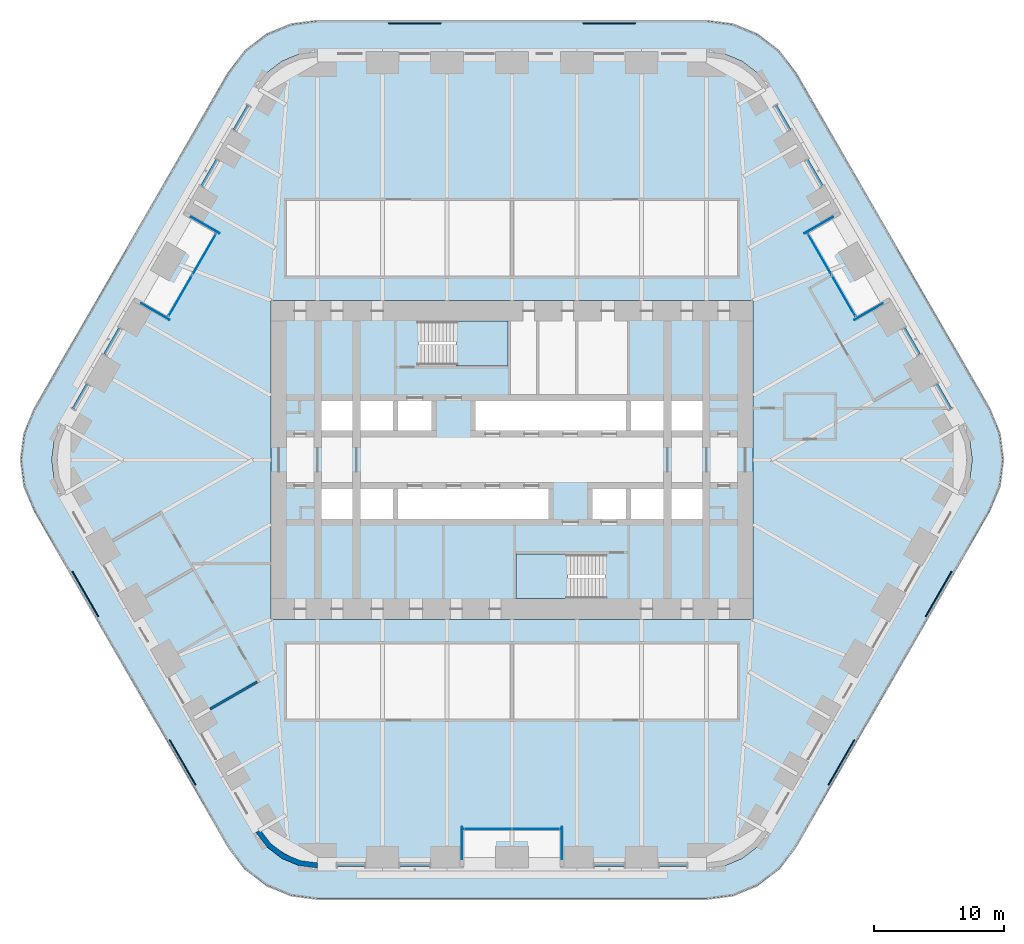
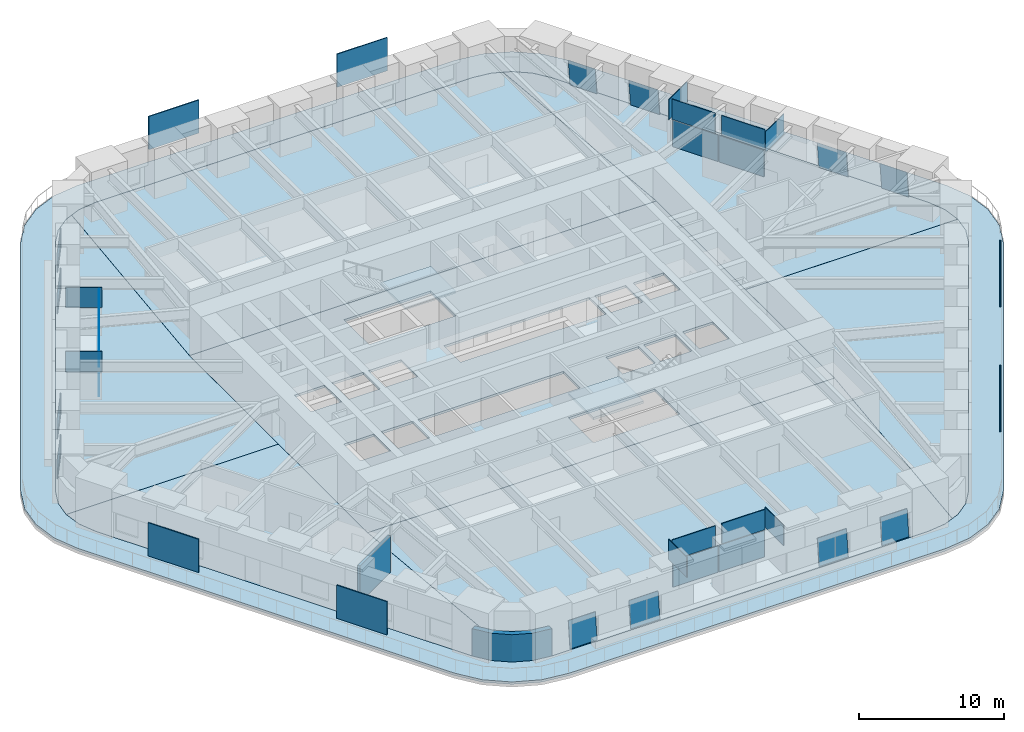
# One storey, part 16 of 24: 36 plates, 10 slabs, 2 walls, 17 elements without a shape of their own.
"""IFC4 building model written with IfcOpenShell, lengths in metres."""

from ifc_helpers import new_model, si_unit, direction, frame, frame_2d, origin, origin_2d, place, context, subcontext, project, spatial, polyline, rectangle, outline, extrude, material, layer, layer_set, type_object, element, aggregate, save


model = new_model("IFC4")

# Units and contexts
model_context = context("Model", 3, precision=1e-05, world=origin(), true_north=direction((0.0, 1.0)))
body_context = subcontext(model_context, "Body", "Model", "MODEL_VIEW")
ifc_project = project(units=[si_unit("LENGTHUNIT", "METRE"), si_unit("AREAUNIT", "SQUARE_METRE"), si_unit("VOLUMEUNIT", "CUBIC_METRE"), si_unit("PLANEANGLEUNIT", "RADIAN"), si_unit("MASSUNIT", "GRAM", prefix="KILO")], contexts=[model_context])

# Site, building, storey
site_placement = place(None, origin())
site = spatial("IfcSite", under=ifc_project, at=site_placement, CompositionType="ELEMENT")
building_placement = place(site_placement, origin())
building = spatial("IfcBuilding", under=site, at=building_placement, Name="Tarfa Lantern Tower", CompositionType="ELEMENT")
storey_placement = place(building_placement, frame((0.0, 0.0, 119.5)))
storey = spatial("IfcBuildingStorey", under=building, at=storey_placement, Name="L26", CompositionType="ELEMENT", Elevation=119.5)

# Slab
ifc_material_1 = material(Name="Concrete C40/50", Category="concrete")
ifc_layer_1 = layer(ifc_material_1, 0.199951171875)
ifc_layer_set_1 = layer_set([ifc_layer_1], Name="BS2 BALCONY SLAB 200")
slab_type_1 = type_object("IfcSlabType", Name="BS2 BALCONY SLAB 200", PredefinedType="FLOOR", material=ifc_layer_set_1)
slab_1_placement = place(storey_placement, frame((0.0, 0.0, -0.199951171875)))
element("IfcSlab", 1, at=slab_1_placement, inside=storey, type_object=slab_type_1, Name="Balcony L26", PredefinedType="FLOOR", context=body_context, shape_type="SweptSolid", body=[
    extrude(outline(polyline([(36.86376953125, 3.949951171875), (21.852783203125, 29.949951171875), (20.59716796875, 31.586181640625), (18.961181640625, 32.841552734375), (17.0556640625, 33.630859375), (15.010986328125, 33.89990234375), (-15.010986328125, 33.89990234375), (-17.0556640625, 33.630859375), (-18.961181640625, 32.841552734375), (-20.59716796875, 31.586181640625), (-21.852783203125, 29.949951171875), (-36.86376953125, 3.949951171875), (-37.653076171875, 2.044677734375), (-37.922119140625, 0.0), (-37.653076171875, -2.044677734375), (-36.86376953125, -3.949951171875), (-21.852783203125, -29.949951171875), (-20.59716796875, -31.586181640625), (-18.961181640625, -32.841552734375), (-17.0556640625, -33.630859375), (-15.010986328125, -33.89990234375), (15.010986328125, -33.89990234375), (17.0556640625, -33.630859375), (18.961181640625, -32.841552734375), (20.59716796875, -31.586181640625), (21.852783203125, -29.949951171875), (36.86376953125, -3.949951171875), (37.653076171875, -2.044677734375), (37.922119140625, 0.0), (37.653076171875, 2.044677734375), (36.86376953125, 3.949951171875)]), holes=[polyline([(34.785400390625, 2.75), (19.774169921875, 28.75), (18.900146484375, 29.88916015625), (17.760986328125, 30.76318359375), (16.4345703125, 31.3125), (15.010986328125, 31.5), (-15.010986328125, 31.5), (-16.4345703125, 31.3125), (-17.760986328125, 30.76318359375), (-18.900146484375, 29.88916015625), (-19.774169921875, 28.75), (-34.785400390625, 2.75), (-35.334716796875, 1.423583984375), (-35.522216796875, 0.0), (-35.334716796875, -1.423583984375), (-34.785400390625, -2.75), (-19.774169921875, -28.75), (-18.900146484375, -29.88916015625), (-17.760986328125, -30.76318359375), (-16.4345703125, -31.3125), (-15.010986328125, -31.5), (15.010986328125, -31.5), (16.4345703125, -31.3125), (17.760986328125, -30.76318359375), (18.900146484375, -29.88916015625), (19.774169921875, -28.75), (34.785400390625, -2.75), (35.334716796875, -1.423583984375), (35.522216796875, 0.0), (35.334716796875, 1.423583984375), (34.785400390625, 2.75)])]), origin(), (0.0, 0.0, 1.0), 0.199951171875),
])

# Curtain wall, plate
ifc_material_2 = material(Name="Aluminium framed curtain wall", Category="aluminium")
curtain_wall_type_1 = type_object("IfcCurtainWallType", Name="CW2 CANTED GLAZING MID ZONE 2300", PredefinedType="USERDEFINED", material=ifc_material_2)
curtain_wall_1_placement = place(storey_placement, origin())
curtain_wall_1 = element("IfcCurtainWall", 2, at=curtain_wall_1_placement, inside=storey, type_object=curtain_wall_type_1, Name="CW2 NE L26", ObjectType="CURTAIN WALL", PredefinedType="USERDEFINED")
ifc_material_3 = material(Name="Laminated double glazing", Category="glass")
ifc_layer_2 = layer(ifc_material_3, 0.028076171875)
ifc_layer_set_2 = layer_set([ifc_layer_2], Name="CWP1 DOUBLE GLAZED PANEL")
plate_type_1 = type_object("IfcPlateType", Name="CWP1 DOUBLE GLAZED PANEL", PredefinedType="CURTAIN_PANEL", material=ifc_layer_set_2)
plate_1_placement = place(storey_placement, frame((33.941162109375, 4.011962890625, 0.0), z_axis=(0.860962809132, 0.497069908369, 0.108002534629), x_axis=(-0.499994070246, 0.866028827286, -5.282797e-06)))
plate_1 = element("IfcPlate", 3, at=plate_1_placement, type_object=plate_type_1, Name="CW2 panel 1.1", PredefinedType="CURTAIN_PANEL", context=body_context, shape_type="SweptSolid", body=[
    extrude(outline(polyline([(0.0, 0.0), (2.1486439527975545, 0.0), (2.14877339551781, 2.2482697607034416), (7.3738554497084544e-06, 2.248246924781975), (0.0, 0.0)])), origin(), (0.0, 0.0, -1.0), 0.028076171875),
])
aggregate(curtain_wall_1, [plate_1])

curtain_wall_2_placement = place(storey_placement, origin())
curtain_wall_2 = element("IfcCurtainWall", 4, at=curtain_wall_2_placement, inside=storey, type_object=curtain_wall_type_1, Name="CW2 NE L26", ObjectType="CURTAIN WALL", PredefinedType="USERDEFINED")
plate_2_placement = place(storey_placement, frame((31.52685546875, 8.19384765625, 0.0), z_axis=(0.860954710028, 0.497062169723, 0.108102667457), x_axis=(-0.499992256698, 0.866029874336, 0.0)))
plate_2 = element("IfcPlate", 5, at=plate_2_placement, type_object=plate_type_1, Name="CW2 panel 1.1", PredefinedType="CURTAIN_PANEL", context=body_context, shape_type="SweptSolid", body=[
    extrude(outline(polyline([(0.0, 0.0), (2.3237664559999, 1.3877787807814457e-17), (2.3236957645581775, 2.248282955127933), (-7.069144172248965e-05, 2.248282955127933), (0.0, 0.0)])), origin(), (0.0, 0.0, -1.0), 0.028076171875),
])
aggregate(curtain_wall_2, [plate_2])

curtain_wall_3_placement = place(storey_placement, origin())
curtain_wall_3 = element("IfcCurtainWall", 6, at=curtain_wall_3_placement, inside=storey, type_object=curtain_wall_type_1, Name="CW2 NEB L26", ObjectType="CURTAIN WALL", PredefinedType="USERDEFINED")
plate_3_placement = place(storey_placement, frame((24.021240234375, 21.19384765625, 0.0), z_axis=(0.860963458986, 0.497067220832, 0.108009723011), x_axis=(-0.499992256698, 0.866029874336, 0.0)))
plate_3 = element("IfcPlate", 7, at=plate_3_placement, type_object=plate_type_1, Name="CW2 panel 1.1", PredefinedType="CURTAIN_PANEL", context=body_context, shape_type="SweptSolid", body=[
    extrude(outline(polyline([(0.0, 0.0), (2.3237664559999, 0.0), (2.323573696136132, 2.2482601084742746), (-0.00019275986376794723, 2.2482601084742746), (0.0, 0.0)])), origin(), (0.0, 0.0, -1.0), 0.028076171875),
])
aggregate(curtain_wall_3, [plate_3])

curtain_wall_4_placement = place(storey_placement, origin())
curtain_wall_4 = element("IfcCurtainWall", 8, at=curtain_wall_4_placement, inside=storey, type_object=curtain_wall_type_1, Name="CW2 NEB L26", ObjectType="CURTAIN WALL", PredefinedType="USERDEFINED")
plate_4_placement = place(storey_placement, frame((21.51953125, 25.527099609375, 0.0), z_axis=(0.860962809132, 0.497069908369, 0.108002534629), x_axis=(-0.499995064267, 0.866028253396, 5.282497e-06)))
plate_4 = element("IfcPlate", 9, at=plate_4_placement, type_object=plate_type_1, Name="CW2 panel 1.1", PredefinedType="CURTAIN_PANEL", context=body_context, shape_type="SweptSolid", body=[
    extrude(outline(polyline([(0.0, 0.0), (2.148766021783704, -1.3877787807814457e-17), (2.148797288789776, 2.248246924576648), (0.00015333611355945826, 2.248269759200832), (0.0, 0.0)])), origin(), (0.0, 0.0, -1.0), 0.028076171875),
])
aggregate(curtain_wall_4, [plate_4])

# Curtain wall, plates
curtain_wall_type_2 = type_object("IfcCurtainWallType", Name="CW10 LOGGIA GLAZING 2300", PredefinedType="USERDEFINED", material=ifc_material_2)
curtain_wall_5_placement = place(storey_placement, origin())
curtain_wall_5 = element("IfcCurtainWall", 10, at=curtain_wall_5_placement, inside=storey, type_object=curtain_wall_type_2, Name="CW10 NEL L26", ObjectType="CURTAIN WALL", PredefinedType="USERDEFINED")
plate_5_placement = place(storey_placement, frame((25.599609375, 12.660400390625, 0.0), z_axis=(0.0, 0.0, 1.0), x_axis=(-0.5, 0.866025403784, 0.0)))
plate_5 = element("IfcPlate", 11, at=plate_5_placement, type_object=plate_type_1, Name="CW10 panel 1.1", PredefinedType="CURTAIN_PANEL", context=body_context, shape_type="SweptSolid", body=[
    extrude(rectangle(XDim=3.606201171875, YDim=0.028076171875, at=origin_2d()), origin(), (0.0, 0.0, 1.0), 2.235107421875),
])
plate_6_placement = place(storey_placement, frame((23.763916015625, 15.839599609375, 0.0), z_axis=(0.0, 0.0, 1.0), x_axis=(-0.5, 0.866025403784, 0.0)))
plate_6 = element("IfcPlate", 12, at=plate_6_placement, type_object=plate_type_1, Name="CW10 panel 2.1", PredefinedType="CURTAIN_PANEL", context=body_context, shape_type="SweptSolid", body=[
    extrude(rectangle(XDim=3.606201171875, YDim=0.028076171875, at=origin_2d()), origin(), (0.0, 0.0, 1.0), 2.235107421875),
])
aggregate(curtain_wall_5, [plate_5, plate_6])

# Curtain wall, plate
curtain_wall_6_placement = place(storey_placement, origin())
curtain_wall_6 = element("IfcCurtainWall", 13, at=curtain_wall_6_placement, inside=storey, type_object=curtain_wall_type_1, Name="CW2 NW L26", ObjectType="CURTAIN WALL", PredefinedType="USERDEFINED")
plate_7_placement = place(storey_placement, frame((-20.445068359375, 27.387939453125, 0.0), z_axis=(-0.860962809132, 0.497069908369, 0.108002534629), x_axis=(-0.499995064267, -0.866028253396, -5.282497e-06)))
plate_7 = element("IfcPlate", 14, at=plate_7_placement, type_object=plate_type_1, Name="CW2 panel 1.1", PredefinedType="CURTAIN_PANEL", context=body_context, shape_type="SweptSolid", body=[
    extrude(outline(polyline([(0.0, 0.0), (2.148766021783704, 1.3877787807814457e-17), (2.1486126856701446, 2.248269759200832), (-3.1267006072408795e-05, 2.248246924576648), (0.0, 0.0)])), origin(), (0.0, 0.0, -1.0), 0.028076171875),
])
aggregate(curtain_wall_6, [plate_7])

curtain_wall_7_placement = place(storey_placement, origin())
curtain_wall_7 = element("IfcCurtainWall", 15, at=curtain_wall_7_placement, inside=storey, type_object=curtain_wall_type_1, Name="CW2 NW L26", ObjectType="CURTAIN WALL", PredefinedType="USERDEFINED")
plate_8_placement = place(storey_placement, frame((-22.859375, 23.206298828125, 0.0), z_axis=(-0.860963458986, 0.497067220832, 0.108009723011), x_axis=(-0.499992256698, -0.866029874336, 0.0)))
plate_8 = element("IfcPlate", 16, at=plate_8_placement, type_object=plate_type_1, Name="CW2 panel 1.1", PredefinedType="CURTAIN_PANEL", context=body_context, shape_type="SweptSolid", body=[
    extrude(outline(polyline([(0.0, 0.0), (2.3237664559999, 0.0), (2.3239592158636677, 2.2482601084742746), (0.00019275986376794723, 2.2482601084742746), (0.0, 0.0)])), origin(), (0.0, 0.0, -1.0), 0.028076171875),
])
aggregate(curtain_wall_7, [plate_8])

curtain_wall_8_placement = place(storey_placement, origin())
curtain_wall_8 = element("IfcCurtainWall", 17, at=curtain_wall_8_placement, inside=storey, type_object=curtain_wall_type_1, Name="CW2 NWB L26", ObjectType="CURTAIN WALL", PredefinedType="USERDEFINED")
plate_9_placement = place(storey_placement, frame((-30.364990234375, 10.206298828125, 0.0), z_axis=(-0.860954710028, 0.497062169723, 0.108102667457), x_axis=(-0.499992256698, -0.866029874336, 0.0)))
plate_9 = element("IfcPlate", 18, at=plate_9_placement, type_object=plate_type_1, Name="CW2 panel 1.1", PredefinedType="CURTAIN_PANEL", context=body_context, shape_type="SweptSolid", body=[
    extrude(outline(polyline([(0.0, 0.0), (2.3237664559999, -1.3877787807814457e-17), (2.3238371474416226, 2.248282955127933), (7.069144172248965e-05, 2.248282955127933), (0.0, 0.0)])), origin(), (0.0, 0.0, -1.0), 0.028076171875),
])
aggregate(curtain_wall_8, [plate_9])

curtain_wall_9_placement = place(storey_placement, origin())
curtain_wall_9 = element("IfcCurtainWall", 19, at=curtain_wall_9_placement, inside=storey, type_object=curtain_wall_type_1, Name="CW2 NWB L26", ObjectType="CURTAIN WALL", PredefinedType="USERDEFINED")
plate_10_placement = place(storey_placement, frame((-32.866943359375, 5.872802734375, 0.0), z_axis=(-0.860962809132, 0.497069908369, 0.108002534629), x_axis=(-0.499994070246, -0.866028827286, 5.282797e-06)))
plate_10 = element("IfcPlate", 20, at=plate_10_placement, type_object=plate_type_1, Name="CW2 panel 1.1", PredefinedType="CURTAIN_PANEL", context=body_context, shape_type="SweptSolid", body=[
    extrude(outline(polyline([(0.0, 0.0), (2.1486439527975545, 0.0), (2.1486365789421042, 2.248246924781975), (-0.00012944272025585478, 2.2482697607034416), (0.0, 0.0)])), origin(), (0.0, 0.0, -1.0), 0.028076171875),
])
aggregate(curtain_wall_9, [plate_10])

# Curtain wall, plates
curtain_wall_10_placement = place(storey_placement, origin())
curtain_wall_10 = element("IfcCurtainWall", 21, at=curtain_wall_10_placement, inside=storey, type_object=curtain_wall_type_2, Name="CW10 NWL L26", ObjectType="CURTAIN WALL", PredefinedType="USERDEFINED")
plate_11_placement = place(storey_placement, frame((-23.763916015625, 15.839599609375, 0.0), z_axis=(0.0, 0.0, 1.0), x_axis=(-0.5, -0.866025403784, 0.0)))
plate_11 = element("IfcPlate", 22, at=plate_11_placement, type_object=plate_type_1, Name="CW10 panel 1.1", PredefinedType="CURTAIN_PANEL", context=body_context, shape_type="SweptSolid", body=[
    extrude(rectangle(XDim=3.606201171875, YDim=0.028076171875, at=origin_2d()), origin(), (0.0, 0.0, 1.0), 2.235107421875),
])
plate_12_placement = place(storey_placement, frame((-25.599609375, 12.660400390625, 0.0), z_axis=(0.0, 0.0, 1.0), x_axis=(-0.5, -0.866025403784, 0.0)))
plate_12 = element("IfcPlate", 23, at=plate_12_placement, type_object=plate_type_1, Name="CW10 panel 2.1", PredefinedType="CURTAIN_PANEL", context=body_context, shape_type="SweptSolid", body=[
    extrude(rectangle(XDim=3.606201171875, YDim=0.028076171875, at=origin_2d()), origin(), (0.0, 0.0, 1.0), 2.235107421875),
])
aggregate(curtain_wall_10, [plate_11, plate_12])

# Curtain wall, plate
curtain_wall_11_placement = place(storey_placement, origin())
curtain_wall_11 = element("IfcCurtainWall", 24, at=curtain_wall_11_placement, inside=storey, type_object=curtain_wall_type_1, Name="CW2 S L26", ObjectType="CURTAIN WALL", PredefinedType="USERDEFINED")
plate_13_placement = place(storey_placement, frame((-13.49609375, -31.39990234375, 0.0), z_axis=(0.0, -0.994145730989, 0.108047515274), x_axis=(1.0, 0.0, 0.0)))
plate_13 = element("IfcPlate", 25, at=plate_13_placement, type_object=plate_type_1, Name="CW2 panel 1.1", PredefinedType="CURTAIN_PANEL", context=body_context, shape_type="SweptSolid", body=[
    extrude(outline(polyline([(0.0, 0.0), (2.148681640625, 0.0), (2.148681640625, 2.248269395727404), (0.0, 2.248269395727404), (0.0, 0.0)])), origin(), (0.0, 0.0, -1.0), 0.028076171875),
])
aggregate(curtain_wall_11, [plate_13])

curtain_wall_12_placement = place(storey_placement, origin())
curtain_wall_12 = element("IfcCurtainWall", 26, at=curtain_wall_12_placement, inside=storey, type_object=curtain_wall_type_1, Name="CW2 S L26", ObjectType="CURTAIN WALL", PredefinedType="USERDEFINED")
plate_14_placement = place(storey_placement, frame((-8.66748046875, -31.39990234375, 0.0), z_axis=(0.0, -0.994145730989, 0.108047515274), x_axis=(1.0, 0.0, 0.0)))
plate_14 = element("IfcPlate", 27, at=plate_14_placement, type_object=plate_type_1, Name="CW2 panel 1.1", PredefinedType="CURTAIN_PANEL", context=body_context, shape_type="SweptSolid", body=[
    extrude(outline(polyline([(0.0, 0.0), (2.32373046875, 0.0), (2.32373046875, 2.2482693957274034), (0.0, 2.2482693957274034), (0.0, 0.0)])), origin(), (0.0, 0.0, -1.0), 0.028076171875),
])
aggregate(curtain_wall_12, [plate_14])

curtain_wall_13_placement = place(storey_placement, origin())
curtain_wall_13 = element("IfcCurtainWall", 28, at=curtain_wall_13_placement, inside=storey, type_object=curtain_wall_type_1, Name="CW2 SB L26", ObjectType="CURTAIN WALL", PredefinedType="USERDEFINED")
plate_15_placement = place(storey_placement, frame((6.34375, -31.39990234375, 0.0), z_axis=(0.0, -0.994145730989, 0.108047515274), x_axis=(1.0, 0.0, 0.0)))
plate_15 = element("IfcPlate", 29, at=plate_15_placement, type_object=plate_type_1, Name="CW2 panel 1.1", PredefinedType="CURTAIN_PANEL", context=body_context, shape_type="SweptSolid", body=[
    extrude(outline(polyline([(0.0, 0.0), (2.32373046875, 0.0), (2.32373046875, 2.2482693957274034), (0.0, 2.2482693957274034), (0.0, 0.0)])), origin(), (0.0, 0.0, -1.0), 0.028076171875),
])
aggregate(curtain_wall_13, [plate_15])

curtain_wall_14_placement = place(storey_placement, origin())
curtain_wall_14 = element("IfcCurtainWall", 30, at=curtain_wall_14_placement, inside=storey, type_object=curtain_wall_type_1, Name="CW2 SB L26", ObjectType="CURTAIN WALL", PredefinedType="USERDEFINED")
plate_16_placement = place(storey_placement, frame((11.347412109375, -31.39990234375, 0.0), z_axis=(0.0, -0.994145730989, 0.108047515274), x_axis=(1.0, 0.0, 0.0)))
plate_16 = element("IfcPlate", 31, at=plate_16_placement, type_object=plate_type_1, Name="CW2 panel 1.1", PredefinedType="CURTAIN_PANEL", context=body_context, shape_type="SweptSolid", body=[
    extrude(outline(polyline([(0.0, 0.0), (2.148681640625, 0.0), (2.148681640625, 2.248269395727404), (0.0, 2.248269395727404), (0.0, 0.0)])), origin(), (0.0, 0.0, -1.0), 0.028076171875),
])
aggregate(curtain_wall_14, [plate_16])

# Curtain wall, plates
curtain_wall_15_placement = place(storey_placement, origin())
curtain_wall_15 = element("IfcCurtainWall", 32, at=curtain_wall_15_placement, inside=storey, type_object=curtain_wall_type_2, Name="CW10 SL L26", ObjectType="CURTAIN WALL", PredefinedType="USERDEFINED")
plate_17_placement = place(storey_placement, frame((-1.835693359375, -28.5, 0.0), z_axis=(0.0, 0.0, 1.0), x_axis=(1.0, 0.0, 0.0)))
plate_17 = element("IfcPlate", 33, at=plate_17_placement, type_object=plate_type_1, Name="CW10 panel 1.1", PredefinedType="CURTAIN_PANEL", context=body_context, shape_type="SweptSolid", body=[
    extrude(rectangle(XDim=3.606201171875, YDim=0.028076171875, at=origin_2d()), origin(), (0.0, 0.0, 1.0), 2.235107421875),
])
plate_18_placement = place(storey_placement, frame((1.835693359375, -28.5, 0.0), z_axis=(0.0, 0.0, 1.0), x_axis=(1.0, 0.0, 0.0)))
plate_18 = element("IfcPlate", 34, at=plate_18_placement, type_object=plate_type_1, Name="CW10 panel 2.1", PredefinedType="CURTAIN_PANEL", context=body_context, shape_type="SweptSolid", body=[
    extrude(rectangle(XDim=3.606201171875, YDim=0.028076171875, at=origin_2d()), origin(), (0.0, 0.0, 1.0), 2.235107421875),
])
aggregate(curtain_wall_15, [plate_17, plate_18])

# Slabs
ifc_layer_3 = layer(ifc_material_1, 0.199951171875)
ifc_layer_set_3 = layer_set([ifc_layer_3], Name="FS1 FLOOR SLAB 200")
slab_type_2 = type_object("IfcSlabType", Name="FS1 FLOOR SLAB 200", PredefinedType="FLOOR", material=ifc_layer_set_3)
slab_2_placement = place(storey_placement, frame((0.0, 0.0, -0.199951171875)))
element("IfcSlab", 35, at=slab_2_placement, inside=storey, type_object=slab_type_2, Name="Floor slab L26", PredefinedType="FLOOR", context=body_context, shape_type="SweptSolid", body=[
    extrude(outline(polyline([(-18.60009765625, -12.300048828125), (18.60009765625, -12.300048828125), (18.60009765625, 12.300048828125), (-18.60009765625, 12.300048828125), (-18.60009765625, -12.300048828125)]), holes=[polyline([(-14.699951171875, 2.25), (-12.300048828125, 2.25), (-12.300048828125, 4.550048828125), (-14.699951171875, 4.550048828125), (-14.699951171875, 2.25)]), polyline([(-11.699951171875, 2.25), (-9.199951171875, 2.25), (-9.199951171875, 4.550048828125), (-11.699951171875, 4.550048828125), (-11.699951171875, 2.25)]), polyline([(-8.800048828125, 2.25), (-6.199951171875, 2.25), (-6.199951171875, 4.550048828125), (-8.800048828125, 4.550048828125), (-8.800048828125, 2.25)]), polyline([(-2.800048828125, 2.25), (8.800048828125, 2.25), (8.800048828125, 4.550048828125), (-2.800048828125, 4.550048828125), (-2.800048828125, 2.25)]), polyline([(9.199951171875, 2.25), (11.699951171875, 2.25), (11.699951171875, 4.550048828125), (9.199951171875, 4.550048828125), (9.199951171875, 2.25)]), polyline([(12.300048828125, 2.25), (14.699951171875, 2.25), (14.699951171875, 4.550048828125), (12.300048828125, 4.550048828125), (12.300048828125, 2.25)]), polyline([(14.699951171875, -2.25), (12.300048828125, -2.25), (12.300048828125, -4.550048828125), (14.699951171875, -4.550048828125), (14.699951171875, -2.25)]), polyline([(11.699951171875, -2.25), (9.199951171875, -2.25), (9.199951171875, -4.550048828125), (11.699951171875, -4.550048828125), (11.699951171875, -2.25)]), polyline([(8.800048828125, -2.25), (6.199951171875, -2.25), (6.199951171875, -4.550048828125), (8.800048828125, -4.550048828125), (8.800048828125, -2.25)]), polyline([(2.800048828125, -2.25), (-8.800048828125, -2.25), (-8.800048828125, -4.550048828125), (2.800048828125, -4.550048828125), (2.800048828125, -2.25)]), polyline([(-9.199951171875, -2.25), (-11.699951171875, -2.25), (-11.699951171875, -4.550048828125), (-9.199951171875, -4.550048828125), (-9.199951171875, -2.25)]), polyline([(-12.300048828125, -2.25), (-14.699951171875, -2.25), (-14.699951171875, -4.550048828125), (-12.300048828125, -4.550048828125), (-12.300048828125, -2.25)]), polyline([(-7.199951171875, 7.25), (-0.300048828125, 7.25), (-0.300048828125, 10.699951171875), (-7.199951171875, 10.699951171875), (-7.199951171875, 7.25)]), polyline([(7.199951171875, -7.25), (0.300048828125, -7.25), (0.300048828125, -10.699951171875), (7.199951171875, -10.699951171875), (7.199951171875, -7.25)])]), origin(), (0.0, 0.0, 1.0), 0.199951171875),
])
slab_3_placement = place(storey_placement, frame((0.0, 0.0, -0.199951171875)))
element("IfcSlab", 36, at=slab_3_placement, inside=storey, type_object=slab_type_2, Name="Floor slab L26 NE bay", PredefinedType="FLOOR", context=body_context, shape_type="SweptSolid", body=[
    extrude(outline(polyline([(34.783447265625, 2.7490234375), (19.7724609375, 28.748779296875), (18.898681640625, 29.8876953125), (17.760009765625, 30.761474609375), (17.19189453125, 30.996826171875), (18.60205078125, 12.300048828125), (18.60205078125, 0.001953125), (35.52001953125, 0.001953125), (35.332763671875, 1.423095703125), (34.783447265625, 2.7490234375)])), origin(), (0.0, 0.0, 1.0), 0.199951171875),
])
slab_4_placement = place(storey_placement, frame((0.0, 0.0, -0.199951171875)))
element("IfcSlab", 37, at=slab_4_placement, inside=storey, type_object=slab_type_2, Name="Floor slab L26 N bay", PredefinedType="FLOOR", context=body_context, shape_type="SweptSolid", body=[
    extrude(outline(polyline([(-18.597900390625, 12.302001953125), (18.597900390625, 12.302001953125), (17.187744140625, 30.99853515625), (16.43408203125, 31.310546875), (15.010986328125, 31.498046875), (-15.010986328125, 31.498046875), (-16.43408203125, 31.310546875), (-17.187744140625, 30.99853515625), (-18.597900390625, 12.302001953125)])), origin(), (0.0, 0.0, 1.0), 0.199951171875),
])
slab_5_placement = place(storey_placement, frame((0.0, 0.0, -0.199951171875)))
element("IfcSlab", 38, at=slab_5_placement, inside=storey, type_object=slab_type_2, Name="Floor slab L26 NW bay", PredefinedType="FLOOR", context=body_context, shape_type="SweptSolid", body=[
    extrude(outline(polyline([(-18.60205078125, 0.001953125), (-18.60205078125, 12.300048828125), (-17.19189453125, 30.996826171875), (-17.760009765625, 30.761474609375), (-18.898681640625, 29.8876953125), (-19.7724609375, 28.748779296875), (-34.783447265625, 2.7490234375), (-35.332763671875, 1.423095703125), (-35.52001953125, 0.001953125), (-18.60205078125, 0.001953125)])), origin(), (0.0, 0.0, 1.0), 0.199951171875),
])
slab_6_placement = place(storey_placement, frame((0.0, 0.0, -0.199951171875)))
element("IfcSlab", 39, at=slab_6_placement, inside=storey, type_object=slab_type_2, Name="Floor slab L26 SW bay", PredefinedType="FLOOR", context=body_context, shape_type="SweptSolid", body=[
    extrude(outline(polyline([(-18.60205078125, -12.300048828125), (-18.60205078125, -0.001953125), (-35.52001953125, -0.001953125), (-35.332763671875, -1.423095703125), (-34.783447265625, -2.7490234375), (-19.7724609375, -28.748779296875), (-18.898681640625, -29.8876953125), (-17.760009765625, -30.761474609375), (-17.19189453125, -30.996826171875), (-18.60205078125, -12.300048828125)])), origin(), (0.0, 0.0, 1.0), 0.199951171875),
])
slab_7_placement = place(storey_placement, frame((0.0, 0.0, -0.199951171875)))
element("IfcSlab", 40, at=slab_7_placement, inside=storey, type_object=slab_type_2, Name="Floor slab L26 S bay", PredefinedType="FLOOR", context=body_context, shape_type="SweptSolid", body=[
    extrude(outline(polyline([(18.597900390625, -12.302001953125), (-18.597900390625, -12.302001953125), (-17.187744140625, -30.99853515625), (-16.43408203125, -31.310546875), (-15.010986328125, -31.498046875), (15.010986328125, -31.498046875), (16.43408203125, -31.310546875), (17.187744140625, -30.99853515625), (18.597900390625, -12.302001953125)])), origin(), (0.0, 0.0, 1.0), 0.199951171875),
])
slab_8_placement = place(storey_placement, frame((0.0, 0.0, -0.199951171875)))
element("IfcSlab", 41, at=slab_8_placement, inside=storey, type_object=slab_type_2, Name="Floor slab L26 SE bay", PredefinedType="FLOOR", context=body_context, shape_type="SweptSolid", body=[
    extrude(outline(polyline([(18.60205078125, -0.001953125), (18.60205078125, -12.300048828125), (17.19189453125, -30.996826171875), (17.760009765625, -30.761474609375), (18.898681640625, -29.8876953125), (19.7724609375, -28.748779296875), (34.783447265625, -2.7490234375), (35.332763671875, -1.423095703125), (35.52001953125, -0.001953125), (18.60205078125, -0.001953125)])), origin(), (0.0, 0.0, 1.0), 0.199951171875),
])

# Plates
ifc_material_4 = material(Name="Aluminium fascia panel", Category="aluminium")
ifc_layer_4 = layer(ifc_material_4, 0.050048828125)
ifc_layer_set_4 = layer_set([ifc_layer_4], Name="LF1 LOGGIA HEAD FASCIA 50")
plate_type_2 = type_object("IfcPlateType", Name="LF1 LOGGIA HEAD FASCIA 50", PredefinedType="USERDEFINED", material=ifc_layer_set_4)
for number, where, z_axis, x_axis, name in (
    (42, (25.670166015625, 12.5380859375, 2.2998046875), (0.0, 0.0, 1.0), (-0.5, 0.866025403784, 0.0), "Loggia head fascia NE"),
    (43, (23.693359375, 15.9619140625, 2.2998046875), (0.0, 0.0, 1.0), (-0.5, 0.866025403784, 0.0), "Loggia head fascia NE"),
):
    element("IfcPlate", number, at=place(storey_placement, frame(where, z_axis=z_axis, x_axis=x_axis)), inside=storey, type_object=plate_type_2, Name=name, ObjectType="FASCIA", PredefinedType="USERDEFINED", context=body_context, shape_type="SweptSolid", body=[
        extrude(rectangle(XDim=3.45361328125, YDim=0.050048828125, at=origin_2d()), origin(), (0.0, 0.0, 1.0), 1.699951171875),
    ])
for number, where, z_axis, x_axis, name in (
    (44, (27.526611328125, 11.442626953125, 2.2998046875), (0.0, 0.0, 1.0), (-0.866025403784, -0.5, 0.0), "Loggia head fascia NE"),
    (45, (23.6728515625, 18.117431640625, 2.2998046875), (0.0, 0.0, 1.0), (-0.866025403784, -0.5, 0.0), "Loggia head fascia NE"),
):
    element("IfcPlate", number, at=place(storey_placement, frame(where, z_axis=z_axis, x_axis=x_axis)), inside=storey, type_object=plate_type_2, Name=name, ObjectType="FASCIA", PredefinedType="USERDEFINED", context=body_context, shape_type="SweptSolid", body=[
        extrude(rectangle(XDim=2.52001953125, YDim=0.050048828125, at=origin_2d()), origin(), (0.0, 0.0, 1.0), 1.699951171875),
    ])
for number, where, z_axis, x_axis, name in (
    (46, (-23.693359375, 15.9619140625, 2.2998046875), (0.0, 0.0, 1.0), (-0.5, -0.866025403784, 0.0), "Loggia head fascia NW"),
    (47, (-25.670166015625, 12.5380859375, 2.2998046875), (0.0, 0.0, 1.0), (-0.5, -0.866025403784, 0.0), "Loggia head fascia NW"),
):
    element("IfcPlate", number, at=place(storey_placement, frame(where, z_axis=z_axis, x_axis=x_axis)), inside=storey, type_object=plate_type_2, Name=name, ObjectType="FASCIA", PredefinedType="USERDEFINED", context=body_context, shape_type="SweptSolid", body=[
        extrude(rectangle(XDim=3.45361328125, YDim=0.050048828125, at=origin_2d()), origin(), (0.0, 0.0, 1.0), 1.699951171875),
    ])
for number, where, z_axis, x_axis, name in (
    (48, (-23.6728515625, 18.117431640625, 2.2998046875), (0.0, 0.0, 1.0), (0.866025403784, -0.5, 0.0), "Loggia head fascia NW"),
    (49, (-27.526611328125, 11.442626953125, 2.2998046875), (0.0, 0.0, 1.0), (0.866025403784, -0.5, 0.0), "Loggia head fascia NW"),
):
    element("IfcPlate", number, at=place(storey_placement, frame(where, z_axis=z_axis, x_axis=x_axis)), inside=storey, type_object=plate_type_2, Name=name, ObjectType="FASCIA", PredefinedType="USERDEFINED", context=body_context, shape_type="SweptSolid", body=[
        extrude(rectangle(XDim=2.52001953125, YDim=0.050048828125, at=origin_2d()), origin(), (0.0, 0.0, 1.0), 1.699951171875),
    ])
for number, where, z_axis, x_axis, name in (
    (50, (-1.976806640625, -28.5, 2.2998046875), (0.0, 0.0, 1.0), (1.0, 0.0, 0.0), "Loggia head fascia S"),
    (51, (1.976806640625, -28.5, 2.2998046875), (0.0, 0.0, 1.0), (1.0, 0.0, 0.0), "Loggia head fascia S"),
):
    element("IfcPlate", number, at=place(storey_placement, frame(where, z_axis=z_axis, x_axis=x_axis)), inside=storey, type_object=plate_type_2, Name=name, ObjectType="FASCIA", PredefinedType="USERDEFINED", context=body_context, shape_type="SweptSolid", body=[
        extrude(rectangle(XDim=3.45361328125, YDim=0.050048828125, at=origin_2d()), origin(), (0.0, 0.0, 1.0), 1.699951171875),
    ])
for number, where, z_axis, x_axis, name in (
    (52, (-3.853759765625, -29.56005859375, 2.2998046875), (0.0, 0.0, 1.0), (0.0, 1.0, 0.0), "Loggia head fascia S"),
    (53, (3.853759765625, -29.56005859375, 2.2998046875), (0.0, 0.0, 1.0), (0.0, 1.0, 0.0), "Loggia head fascia S"),
):
    element("IfcPlate", number, at=place(storey_placement, frame(where, z_axis=z_axis, x_axis=x_axis)), inside=storey, type_object=plate_type_2, Name=name, ObjectType="FASCIA", PredefinedType="USERDEFINED", context=body_context, shape_type="SweptSolid", body=[
        extrude(rectangle(XDim=2.52001953125, YDim=0.050048828125, at=origin_2d()), origin(), (0.0, 0.0, 1.0), 1.699951171875),
    ])
ifc_material_5 = material(Name="Perforated limestone screen", Category="masonry")
ifc_layer_5 = layer(ifc_material_5, 0.080078125)
ifc_layer_set_5 = layer_set([ifc_layer_5], Name="SC1 STONE SCREEN 80")
plate_type_3 = type_object("IfcPlateType", Name="SC1 STONE SCREEN 80", PredefinedType="USERDEFINED", material=ifc_layer_set_5)
for number, where, z_axis, x_axis, name in (
    (54, (7.505615234375, 33.699951171875, 1.2001953125), (0.0, 0.0, 1.0), (-1.0, 0.0, 0.0), "Stone screen N 1"),
    (55, (-7.505615234375, 33.699951171875, 1.2001953125), (0.0, 0.0, 1.0), (-1.0, 0.0, 0.0), "Stone screen N 2"),
    (56, (-32.937744140625, -10.35009765625, 1.2001953125), (0.0, 0.0, 1.0), (0.5, -0.866025403784, 0.0), "Stone screen SW 1"),
    (57, (-25.432373046875, -23.35009765625, 1.2001953125), (0.0, 0.0, 1.0), (0.5, -0.866025403784, 0.0), "Stone screen SW 2"),
    (58, (25.432373046875, -23.35009765625, 1.2001953125), (0.0, 0.0, 1.0), (0.5, 0.866025403784, 0.0), "Stone screen SE 1"),
    (59, (32.937744140625, -10.35009765625, 1.2001953125), (0.0, 0.0, 1.0), (0.5, 0.866025403784, 0.0), "Stone screen SE 2"),
):
    element("IfcPlate", number, at=place(storey_placement, frame(where, z_axis=z_axis, x_axis=x_axis)), inside=storey, type_object=plate_type_3, Name=name, ObjectType="SCREEN", PredefinedType="USERDEFINED", context=body_context, shape_type="SweptSolid", body=[
        extrude(rectangle(XDim=4.0, YDim=0.080078125, at=origin_2d()), origin(), (0.0, 0.0, 1.0), 2.800048828125),
    ])

# Stair, slab
stair_type = type_object("IfcStairType", Name="ST-T10 HALF-TURN STAIR 4200 RISE", PredefinedType="HALF_TURN_STAIR", material=ifc_material_1)
stair_1_placement = place(storey_placement, origin())
stair_1 = element("IfcStair", 60, at=stair_1_placement, inside=storey, type_object=stair_type, Name="Stair ST1", PredefinedType="HALF_TURN_STAIR")
ifc_layer_6 = layer(ifc_material_1, 0.199951171875)
ifc_layer_set_6 = layer_set([ifc_layer_6], Name="SL1 STAIR LANDING 200")
slab_type_3 = type_object("IfcSlabType", Name="SL1 STAIR LANDING 200", PredefinedType="LANDING", material=ifc_layer_set_6)
slab_9_placement = place(storey_placement, frame((0.0, 0.0, 1.89990234375)))
slab_9 = element("IfcSlab", 61, at=slab_9_placement, type_object=slab_type_3, Name="ST1 landing 1", PredefinedType="LANDING", context=body_context, shape_type="SweptSolid", body=[
    extrude(outline(polyline([(-4.320068359375, 7.25), (-0.300048828125, 7.25), (-0.300048828125, 10.699951171875), (-4.320068359375, 10.699951171875), (-4.320068359375, 7.25)])), origin(), (0.0, 0.0, 1.0), 0.2001953125),
])
aggregate(stair_1, [slab_9])

stair_2_placement = place(storey_placement, origin())
stair_2 = element("IfcStair", 62, at=stair_2_placement, inside=storey, type_object=stair_type, Name="Stair ST2", PredefinedType="HALF_TURN_STAIR")
slab_10_placement = place(storey_placement, frame((0.0, 0.0, 1.89990234375)))
slab_10 = element("IfcSlab", 63, at=slab_10_placement, type_object=slab_type_3, Name="ST2 landing 1", PredefinedType="LANDING", context=body_context, shape_type="SweptSolid", body=[
    extrude(outline(polyline([(4.320068359375, -7.25), (0.300048828125, -7.25), (0.300048828125, -10.699951171875), (4.320068359375, -10.699951171875), (4.320068359375, -7.25)])), origin(), (0.0, 0.0, 1.0), 0.2001953125),
])
aggregate(stair_2, [slab_10])

# Walls
ifc_material_6 = material(Name="Limestone cladding on blockwork", Category="masonry")
ifc_layer_7 = layer(ifc_material_6, 0.39990234375)
ifc_layer_set_7 = layer_set([ifc_layer_7], Name="EW2 CURVED STONE CORNER 400")
wall_type_1 = type_object("IfcWallType", Name="EW2 CURVED STONE CORNER 400", PredefinedType="SOLIDWALL", material=ifc_layer_set_7)
wall_1_placement = place(storey_placement, origin())
element("IfcWall", 64, at=wall_1_placement, inside=storey, type_object=wall_type_1, Name="Stone corner SW-S", PredefinedType="SOLIDWALL", context=body_context, shape_type="SweptSolid", body=[
    extrude(outline(polyline([(-19.774169921875, -28.75), (-18.900146484375, -29.88916015625), (-17.760986328125, -30.76318359375), (-16.4345703125, -31.3125), (-15.010986328125, -31.5), (-15.010986328125, -31.10009765625), (-16.3310546875, -30.92626953125), (-17.56103515625, -30.416748046875), (-18.617431640625, -29.606201171875), (-19.427734375, -28.550048828125), (-19.774169921875, -28.75)])), origin(), (0.0, 0.0, 1.0), 2.300048828125),
])
ifc_material_7 = material(Name="Gypsum board on steel studs", Category="steel")
ifc_layer_8 = layer(ifc_material_7, 0.2099609375)
ifc_layer_set_8 = layer_set([ifc_layer_8], Name="IW2 ACOUSTIC PARTITION 200")
wall_type_2 = type_object("IfcWallType", Name="IW2 ACOUSTIC PARTITION 200", PredefinedType="PARTITIONING", material=ifc_layer_set_8)
wall_2_placement = place(storey_placement, frame((-19.66845703125, -17.13330078125, 0.0), z_axis=(0.0, 0.0, 1.0), x_axis=(-0.866009402589, -0.500027713859, 0.0)))
element("IfcWall", 65, at=wall_2_placement, inside=storey, type_object=wall_type_2, Name="Partition", PredefinedType="PARTITIONING", context=body_context, shape_type="SweptSolid", body=[
    extrude(rectangle(XDim=4.199951171875, YDim=0.199951171875, at=frame_2d((2.10009765625, 0.0))), origin(), (0.0, 0.0, 1.0), 3.08154296875),
])

save(model, "model.ifc")
